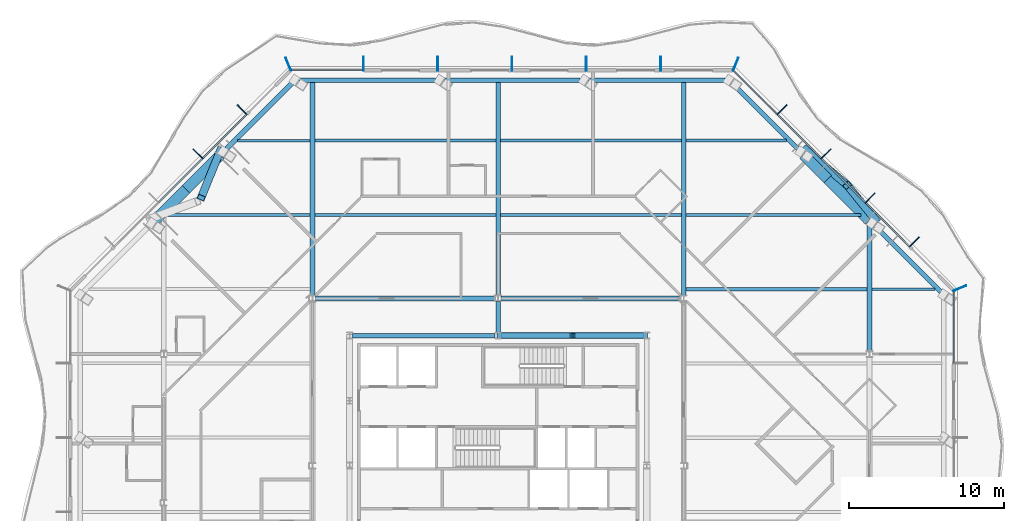
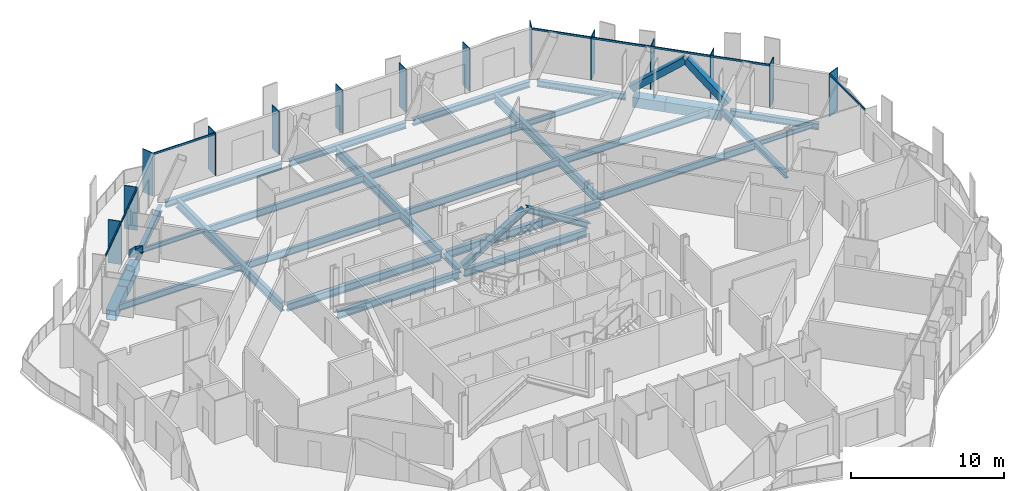
# One storey, part 5 of 21: 29 beams, 27 members, 4 elements without a shape of their own.
"""IFC4 building model written with IfcOpenShell, lengths in metres."""

from ifc_helpers import new_model, si_unit, direction, frame, origin, origin_2d, place, context, subcontext, project, spatial, rectangle, hollow_rectangle, i_section, extrude, material, material_profile, profile_set, type_object, element, aggregate, save


model = new_model("IFC4")

# Units and contexts
model_context = context("Model", 3, precision=1e-05, world=origin(), true_north=direction((0.0, 1.0)))
body_context = subcontext(model_context, "Body", "Model", "MODEL_VIEW")
ifc_project = project(units=[si_unit("LENGTHUNIT", "METRE"), si_unit("AREAUNIT", "SQUARE_METRE"), si_unit("VOLUMEUNIT", "CUBIC_METRE"), si_unit("PLANEANGLEUNIT", "RADIAN"), si_unit("MASSUNIT", "GRAM", prefix="KILO")], contexts=[model_context])

# Site, building, storey
site_placement = place(None, origin())
site = spatial("IfcSite", under=ifc_project, at=site_placement, CompositionType="ELEMENT")
building_placement = place(site_placement, origin())
building = spatial("IfcBuilding", under=site, at=building_placement, Name="Cairn Pilgrim Tower", CompositionType="ELEMENT")
storey_placement = place(building_placement, frame((0.0, 0.0, 179.39990234375)))
storey = spatial("IfcBuildingStorey", under=building, at=storey_placement, Name="L45", CompositionType="ELEMENT", Elevation=179.39990234375)

# Members
ifc_material_1 = material(Name="Structural steel S460M", Category="steel")
ifc_material_profile_1 = material_profile(ifc_material_1, hollow_rectangle(XDim=0.5, YDim=0.5, WallThickness=0.030029296875, at=origin_2d()), Name="BOX 500x500x30")
ifc_profile_set_1 = profile_set([ifc_material_profile_1], Name="Structural steel S460M")
member_type_1 = type_object("IfcMemberType", Name="BOX 500x500x30 BRACE", PredefinedType="BRACE", material=ifc_profile_set_1)
member_1_placement = place(storey_placement, frame((31.60498046875, 18.25634765625, 0.074951171875), z_axis=(-0.452801694636, 0.557220235795, 0.696043270318), x_axis=(-0.776072928053, -0.630643171963, 0.0)))
element("IfcMember", 1, at=member_1_placement, inside=storey, type_object=member_type_1, Name="XB-NE2-NE3-1", PredefinedType="BRACE", context=body_context, shape_type="SweptSolid", body=[
    extrude(hollow_rectangle(XDim=0.5, YDim=0.5, WallThickness=0.030029296875, at=origin_2d()), origin(), (0.0, 0.0, 1.0), 4.052001953125),
])
member_2_placement = place(storey_placement, frame((27.0166015625, 22.85595703125, 0.150146484375), z_axis=(0.605233633982, -0.513975538925, 0.607882713756), x_axis=(0.647302483602, 0.762233228561, 0.0)))
element("IfcMember", 2, at=member_2_placement, inside=storey, type_object=member_type_1, Name="XB-NE2-NE3-2", PredefinedType="BRACE", context=body_context, shape_type="SweptSolid", body=[
    extrude(hollow_rectangle(XDim=0.5, YDim=0.5, WallThickness=0.030029296875, at=origin_2d()), origin(), (0.0, 0.0, 1.0), 4.515869140625),
])
member_3_placement = place(storey_placement, frame((-10.733154296875, 22.799560546875, 0.1123046875), z_axis=(-0.295154992859, -0.723596550511, 0.623932337902), x_axis=(0.925932925702, -0.377687989087, 0.0)))
element("IfcMember", 3, at=member_3_placement, inside=storey, type_object=member_type_1, Name="XB-NW2-NW3-1", PredefinedType="BRACE", context=body_context, shape_type="SweptSolid", body=[
    extrude(hollow_rectangle(XDim=0.5, YDim=0.5, WallThickness=0.030029296875, at=origin_2d()), origin(), (0.0, 0.0, 1.0), 4.262451171875),
])

# Beams
ifc_material_2 = material(Name="Structural steel S355J2", Category="steel")
ifc_material_profile_2 = material_profile(ifc_material_2, hollow_rectangle(XDim=0.699951171875, YDim=0.800048828125, WallThickness=0.0400390625, at=origin_2d()), Name="BOX 700x800x40")
ifc_profile_set_2 = profile_set([ifc_material_profile_2], Name="Structural steel S355J2")
beam_type_1 = type_object("IfcBeamType", Name="BOX 700x800x40 RING GIRDER", PredefinedType="SPANDREL", material=ifc_profile_set_2)
beam_1_placement = place(storey_placement, frame((31.184814453125, 18.242431640625, -0.5498046875), z_axis=(-0.707106781187, 0.707106781187, 0.0), x_axis=(-0.707106781187, -0.707106781187, 0.0)))
element("IfcBeam", 4, at=beam_1_placement, inside=storey, type_object=beam_type_1, Name="RG2-NE2-NE3-1", PredefinedType="SPANDREL", context=body_context, shape_type="SweptSolid", body=[
    extrude(hollow_rectangle(XDim=0.699951171875, YDim=0.800048828125, WallThickness=0.0400390625, at=origin_2d()), origin(), (0.0, 0.0, 1.0), 3.795166015625),
])
beam_2_placement = place(storey_placement, frame((28.501220703125, 20.926025390625, -0.5498046875), z_axis=(-0.707106781187, 0.707106781187, 0.0), x_axis=(-0.707106781187, -0.707106781187, 0.0)))
element("IfcBeam", 5, at=beam_2_placement, inside=storey, type_object=beam_type_1, Name="RG2-NE2-NE3-2", PredefinedType="SPANDREL", context=body_context, shape_type="SweptSolid", body=[
    extrude(hollow_rectangle(XDim=0.699951171875, YDim=0.800048828125, WallThickness=0.0400390625, at=origin_2d()), origin(), (0.0, 0.0, 1.0), 2.20458984375),
])
beam_3_placement = place(storey_placement, frame((-10.742431640625, 22.48486328125, -0.5498046875), z_axis=(-0.707106781187, -0.707106781187, 0.0), x_axis=(0.707106781187, -0.707106781187, 0.0)))
element("IfcBeam", 6, at=beam_3_placement, inside=storey, type_object=beam_type_1, Name="RG2-NW2-NW3-1", PredefinedType="SPANDREL", context=body_context, shape_type="SweptSolid", body=[
    extrude(hollow_rectangle(XDim=0.699951171875, YDim=0.800048828125, WallThickness=0.0400390625, at=origin_2d()), origin(), (0.0, 0.0, 1.0), 3.158935546875),
])
beam_4_placement = place(storey_placement, frame((-12.97607421875, 20.251220703125, -0.5498046875), z_axis=(-0.707106781187, -0.707106781187, 0.0), x_axis=(0.707106781187, -0.707106781187, 0.0)))
element("IfcBeam", 7, at=beam_4_placement, inside=storey, type_object=beam_type_1, Name="RG2-NW2-NW3-2", PredefinedType="SPANDREL", context=body_context, shape_type="SweptSolid", body=[
    extrude(hollow_rectangle(XDim=0.699951171875, YDim=0.800048828125, WallThickness=0.0400390625, at=origin_2d()), origin(), (0.0, 0.0, 1.0), 2.8408203125),
])

# Curtain wall, members
ifc_material_3 = material(Name="Aluminium alloy 6063-T6 bronze anodised with Bronze tinted laminated low-E glass 8+16+8.8", Category="aluminium")
curtain_wall_type_1 = type_object("IfcCurtainWallType", Name="CHAMFER CORNER CURTAIN WALL", PredefinedType="NOTDEFINED", material=ifc_material_3)
curtain_wall_1_placement = place(storey_placement, origin())
curtain_wall_1 = element("IfcCurtainWall", 8, at=curtain_wall_1_placement, inside=storey, type_object=curtain_wall_type_1, Name="Chamfer Corner Curtain Wall NE", PredefinedType="NOTDEFINED")
ifc_material_4 = material(Name="Aluminium alloy 6063-T6 bronze anodised", Category="aluminium")
ifc_material_profile_3 = material_profile(ifc_material_4, rectangle(XDim=0.89990234375, YDim=0.06005859375, at=origin_2d()), Name="FIN MULLION 60x900 BRONZE")
ifc_profile_set_3 = profile_set([ifc_material_profile_3], Name="Aluminium alloy 6063-T6 bronze anodised")
member_type_2 = type_object("IfcMemberType", Name="FIN MULLION 60x900 BRONZE", PredefinedType="MULLION", material=ifc_profile_set_3)
member_4_placement = place(storey_placement, frame((37.0380859375, 13.857177734375, 0.0), z_axis=(0.0, 0.0, 1.0), x_axis=(0.923879532511, 0.382683432365, 0.0)))
member_4 = element("IfcMember", 9, at=member_4_placement, type_object=member_type_2, Name="Fin mullion NE1", PredefinedType="MULLION", context=body_context, shape_type="SweptSolid", body=[
    extrude(rectangle(XDim=0.89990234375, YDim=0.06005859375, at=origin_2d()), origin(), (0.0, 0.0, 1.0), 3.4501953125),
])
member_5_placement = place(storey_placement, frame((34.09619140625, 16.84423828125, 0.0), z_axis=(0.0, 0.0, 1.0), x_axis=(0.707106781187, 0.707106781187, 0.0)))
member_5 = element("IfcMember", 10, at=member_5_placement, type_object=member_type_2, Name="Fin mullion NE2", PredefinedType="MULLION", context=body_context, shape_type="SweptSolid", body=[
    extrude(rectangle(XDim=0.89990234375, YDim=0.06005859375, at=origin_2d()), origin(), (0.0, 0.0, 1.0), 3.4501953125),
])
member_6_placement = place(storey_placement, frame((31.24560546875, 19.69482421875, 0.0), z_axis=(0.0, 0.0, 1.0), x_axis=(0.707106781187, 0.707106781187, 0.0)))
member_6 = element("IfcMember", 11, at=member_6_placement, type_object=member_type_2, Name="Fin mullion NE3", PredefinedType="MULLION", context=body_context, shape_type="SweptSolid", body=[
    extrude(rectangle(XDim=0.89990234375, YDim=0.06005859375, at=origin_2d()), origin(), (0.0, 0.0, 1.0), 3.4501953125),
])
member_7_placement = place(storey_placement, frame((28.394775390625, 22.545654296875, 0.0), z_axis=(0.0, 0.0, 1.0), x_axis=(0.707106781187, 0.707106781187, 0.0)))
member_7 = element("IfcMember", 12, at=member_7_placement, type_object=member_type_2, Name="Fin mullion NE4", PredefinedType="MULLION", context=body_context, shape_type="SweptSolid", body=[
    extrude(rectangle(XDim=0.89990234375, YDim=0.06005859375, at=origin_2d()), origin(), (0.0, 0.0, 1.0), 3.4501953125),
])
member_8_placement = place(storey_placement, frame((25.544189453125, 25.396240234375, 0.0), z_axis=(0.0, 0.0, 1.0), x_axis=(0.707106781187, 0.707106781187, 0.0)))
member_8 = element("IfcMember", 13, at=member_8_placement, type_object=member_type_2, Name="Fin mullion NE5", PredefinedType="MULLION", context=body_context, shape_type="SweptSolid", body=[
    extrude(rectangle(XDim=0.89990234375, YDim=0.06005859375, at=origin_2d()), origin(), (0.0, 0.0, 1.0), 3.4501953125),
])

curtain_wall_type_2 = type_object("IfcCurtainWallType", Name="TOWER STICK CURTAIN WALL NS", PredefinedType="NOTDEFINED", material=ifc_material_3)
curtain_wall_2_placement = place(storey_placement, origin())
curtain_wall_2 = element("IfcCurtainWall", 14, at=curtain_wall_2_placement, inside=storey, type_object=curtain_wall_type_2, Name="Tower Stick Curtain Wall Ns N", PredefinedType="NOTDEFINED")
member_9_placement = place(storey_placement, frame((22.55712890625, 28.338134765625, 0.0), z_axis=(0.0, 0.0, 1.0), x_axis=(0.382683432365, 0.923879532511, 0.0)))
member_9 = element("IfcMember", 15, at=member_9_placement, type_object=member_type_2, Name="Fin mullion N1", PredefinedType="MULLION", context=body_context, shape_type="SweptSolid", body=[
    extrude(rectangle(XDim=0.89990234375, YDim=0.06005859375, at=origin_2d()), origin(), (0.0, 0.0, 1.0), 3.4501953125),
])
member_10_placement = place(storey_placement, frame((17.699951171875, 28.3701171875, 0.0), z_axis=(0.0, 0.0, 1.0), x_axis=(0.0, 1.0, 0.0)))
member_10 = element("IfcMember", 16, at=member_10_placement, type_object=member_type_2, Name="Fin mullion N2", PredefinedType="MULLION", context=body_context, shape_type="SweptSolid", body=[
    extrude(rectangle(XDim=0.89990234375, YDim=0.06005859375, at=origin_2d()), origin(), (0.0, 0.0, 1.0), 3.4501953125),
])
member_11_placement = place(storey_placement, frame((12.89990234375, 28.3701171875, 0.0), z_axis=(0.0, 0.0, 1.0), x_axis=(0.0, 1.0, 0.0)))
member_11 = element("IfcMember", 17, at=member_11_placement, type_object=member_type_2, Name="Fin mullion N3", PredefinedType="MULLION", context=body_context, shape_type="SweptSolid", body=[
    extrude(rectangle(XDim=0.89990234375, YDim=0.06005859375, at=origin_2d()), origin(), (0.0, 0.0, 1.0), 3.4501953125),
])
member_12_placement = place(storey_placement, frame((8.10009765625, 28.3701171875, 0.0), z_axis=(0.0, 0.0, 1.0), x_axis=(0.0, 1.0, 0.0)))
member_12 = element("IfcMember", 18, at=member_12_placement, type_object=member_type_2, Name="Fin mullion N4", PredefinedType="MULLION", context=body_context, shape_type="SweptSolid", body=[
    extrude(rectangle(XDim=0.89990234375, YDim=0.06005859375, at=origin_2d()), origin(), (0.0, 0.0, 1.0), 3.4501953125),
])
member_13_placement = place(storey_placement, frame((3.300048828125, 28.3701171875, 0.0), z_axis=(0.0, 0.0, 1.0), x_axis=(0.0, 1.0, 0.0)))
member_13 = element("IfcMember", 19, at=member_13_placement, type_object=member_type_2, Name="Fin mullion N5", PredefinedType="MULLION", context=body_context, shape_type="SweptSolid", body=[
    extrude(rectangle(XDim=0.89990234375, YDim=0.06005859375, at=origin_2d()), origin(), (0.0, 0.0, 1.0), 3.4501953125),
])
member_14_placement = place(storey_placement, frame((-1.5, 28.3701171875, 0.0), z_axis=(0.0, 0.0, 1.0), x_axis=(0.0, 1.0, 0.0)))
member_14 = element("IfcMember", 20, at=member_14_placement, type_object=member_type_2, Name="Fin mullion N6", PredefinedType="MULLION", context=body_context, shape_type="SweptSolid", body=[
    extrude(rectangle(XDim=0.89990234375, YDim=0.06005859375, at=origin_2d()), origin(), (0.0, 0.0, 1.0), 3.4501953125),
])

curtain_wall_3_placement = place(storey_placement, origin())
curtain_wall_3 = element("IfcCurtainWall", 21, at=curtain_wall_3_placement, inside=storey, type_object=curtain_wall_type_1, Name="Chamfer Corner Curtain Wall NW", PredefinedType="NOTDEFINED")
member_15_placement = place(storey_placement, frame((-6.357177734375, 28.338134765625, 0.0), z_axis=(0.0, 0.0, 1.0), x_axis=(-0.382683432365, 0.923879532511, 0.0)))
member_15 = element("IfcMember", 22, at=member_15_placement, type_object=member_type_2, Name="Fin mullion NW1", PredefinedType="MULLION", context=body_context, shape_type="SweptSolid", body=[
    extrude(rectangle(XDim=0.89990234375, YDim=0.06005859375, at=origin_2d()), origin(), (0.0, 0.0, 1.0), 3.4501953125),
])
member_16_placement = place(storey_placement, frame((-9.34423828125, 25.396240234375, 0.0), z_axis=(0.0, 0.0, 1.0), x_axis=(-0.707106781187, 0.707106781187, 0.0)))
member_16 = element("IfcMember", 23, at=member_16_placement, type_object=member_type_2, Name="Fin mullion NW2", PredefinedType="MULLION", context=body_context, shape_type="SweptSolid", body=[
    extrude(rectangle(XDim=0.89990234375, YDim=0.06005859375, at=origin_2d()), origin(), (0.0, 0.0, 1.0), 3.4501953125),
])
member_17_placement = place(storey_placement, frame((-12.19482421875, 22.545654296875, 0.0), z_axis=(0.0, 0.0, 1.0), x_axis=(-0.707106781187, 0.707106781187, 0.0)))
member_17 = element("IfcMember", 24, at=member_17_placement, type_object=member_type_2, Name="Fin mullion NW3", PredefinedType="MULLION", context=body_context, shape_type="SweptSolid", body=[
    extrude(rectangle(XDim=0.89990234375, YDim=0.06005859375, at=origin_2d()), origin(), (0.0, 0.0, 1.0), 3.4501953125),
])

# Members
ifc_material_profile_4 = material_profile(ifc_material_1, i_section(OverallWidth=0.408935546875, OverallDepth=0.425048828125, WebThickness=0.03271484375, FlangeThickness=0.052490234375, FilletRadius=0.014892578125, at=origin_2d()), Name="HD 400x421")
ifc_profile_set_4 = profile_set([ifc_material_profile_4], Name="Structural steel S460M")
member_type_3 = type_object("IfcMemberType", Name="HD 400x421 BRACE", PredefinedType="BRACE", material=ifc_profile_set_4)
for number, where, z_axis, x_axis, name in (
    (25, (16.75830078125, 10.800048828125, 0.10009765625), (-0.851119565216, 0.0, 0.524971890397), (0.0, -1.0, 0.0), "KB-3A"),
    (26, (7.24169921875, 10.800048828125, 0.10009765625), (0.851119565216, 0.0, 0.524971890397), (0.0, 1.0, 0.0), "KB-3B"),
):
    element("IfcMember", number, at=place(storey_placement, frame(where, z_axis=z_axis, x_axis=x_axis)), inside=storey, type_object=member_type_3, Name=name, PredefinedType="BRACE", context=body_context, shape_type="SweptSolid", body=[
        extrude(i_section(OverallWidth=0.408935546875, OverallDepth=0.425048828125, WebThickness=0.03271484375, FlangeThickness=0.052490234375, FilletRadius=0.014892578125, at=origin_2d()), origin(), (0.0, 0.0, 1.0), 5.528076171875),
    ])

# Beams
ifc_material_profile_5 = material_profile(ifc_material_2, i_section(OverallWidth=0.300048828125, OverallDepth=0.39990234375, WebThickness=0.013427734375, FlangeThickness=0.02392578125, FilletRadius=0.027099609375, at=origin_2d()), Name="HEB 400")
ifc_profile_set_5 = profile_set([ifc_material_profile_5], Name="Structural steel S355J2")
beam_type_2 = type_object("IfcBeamType", Name="HEB 400 GIRDER", PredefinedType="BEAM", material=ifc_profile_set_5)
beam_5_placement = place(storey_placement, frame((7.199951171875, 11.008056640625, -0.349853515625), z_axis=(0.0, 1.0, 0.0), x_axis=(-1.0, 0.0, 0.0)))
element("IfcBeam", 27, at=beam_5_placement, inside=storey, type_object=beam_type_2, Name="PG3-E2", PredefinedType="BEAM", context=body_context, shape_type="SweptSolid", body=[
    extrude(i_section(OverallWidth=0.300048828125, OverallDepth=0.39990234375, WebThickness=0.013427734375, FlangeThickness=0.02392578125, FilletRadius=0.027099609375, at=origin_2d()), origin(), (0.0, 0.0, 1.0), 1.992431640625),
])
ifc_material_profile_6 = material_profile(ifc_material_2, i_section(OverallWidth=0.300048828125, OverallDepth=0.5, WebThickness=0.014404296875, FlangeThickness=0.028076171875, FilletRadius=0.027099609375, at=origin_2d()), Name="HEB 500")
ifc_profile_set_6 = profile_set([ifc_material_profile_6], Name="Structural steel S355J2")
beam_type_3 = type_object("IfcBeamType", Name="HEB 500 GIRDER", PredefinedType="BEAM", material=ifc_profile_set_6)
beam_6_placement = place(storey_placement, frame((31.199951171875, 9.804443359375, -0.39990234375), z_axis=(0.0, 1.0, 0.0), x_axis=(-1.0, 0.0, 0.0)))
element("IfcBeam", 28, at=beam_6_placement, inside=storey, type_object=beam_type_3, Name="PG5-3", PredefinedType="BEAM", context=body_context, shape_type="SweptSolid", body=[
    extrude(i_section(OverallWidth=0.300048828125, OverallDepth=0.5, WebThickness=0.014404296875, FlangeThickness=0.028076171875, FilletRadius=0.027099609375, at=origin_2d()), origin(), (0.0, 0.0, 1.0), 8.24072265625),
])
ifc_material_profile_7 = material_profile(ifc_material_2, i_section(OverallWidth=0.300048828125, OverallDepth=0.5, WebThickness=0.014404296875, FlangeThickness=0.028076171875, FilletRadius=0.027099609375, at=origin_2d()), Name="HEB 500")
ifc_profile_set_7 = profile_set([ifc_material_profile_7], Name="Structural steel S355J2")
beam_type_4 = type_object("IfcBeamType", Name="HEB 500 RING GIRDER", PredefinedType="SPANDREL", material=ifc_profile_set_7)
for number, where, z_axis, x_axis, name in (
    (29, (35.80908203125, 13.6181640625, -0.39990234375), (-0.707106781187, 0.707106781187, 0.0), (-0.707106781187, -0.707106781187, 0.0), "RG2-NE1-NE2"),
    (30, (26.560546875, 22.86669921875, -0.39990234375), (-0.707106781187, 0.707106781187, 0.0), (-0.707106781187, -0.707106781187, 0.0), "RG2-NE3-N1"),
):
    element("IfcBeam", number, at=place(storey_placement, frame(where, z_axis=z_axis, x_axis=x_axis)), inside=storey, type_object=beam_type_4, Name=name, PredefinedType="SPANDREL", context=body_context, shape_type="SweptSolid", body=[
        extrude(i_section(OverallWidth=0.300048828125, OverallDepth=0.5, WebThickness=0.014404296875, FlangeThickness=0.028076171875, FilletRadius=0.027099609375, at=origin_2d()), origin(), (0.0, 0.0, 1.0), 5.999755859375),
    ])
beam_7_placement = place(storey_placement, frame((21.857177734375, 27.300048828125, -0.39990234375), z_axis=(-1.0, 0.0, 0.0), x_axis=(0.0, -1.0, 0.0)))
element("IfcBeam", 31, at=beam_7_placement, inside=storey, type_object=beam_type_4, Name="RG2-N1-N2", PredefinedType="SPANDREL", context=body_context, shape_type="SweptSolid", body=[
    extrude(i_section(OverallWidth=0.300048828125, OverallDepth=0.5, WebThickness=0.014404296875, FlangeThickness=0.028076171875, FilletRadius=0.027099609375, at=origin_2d()), origin(), (0.0, 0.0, 1.0), 8.8115234375),
])
beam_8_placement = place(storey_placement, frame((12.505615234375, 27.300048828125, -0.39990234375), z_axis=(-1.0, 0.0, 0.0), x_axis=(0.0, -1.0, 0.0)))
element("IfcBeam", 32, at=beam_8_placement, inside=storey, type_object=beam_type_4, Name="RG2-N2-N3", PredefinedType="SPANDREL", context=body_context, shape_type="SweptSolid", body=[
    extrude(i_section(OverallWidth=0.300048828125, OverallDepth=0.5, WebThickness=0.014404296875, FlangeThickness=0.028076171875, FilletRadius=0.027099609375, at=origin_2d()), origin(), (0.0, 0.0, 1.0), 8.811279296875),
])
beam_9_placement = place(storey_placement, frame((3.154296875, 27.300048828125, -0.39990234375), z_axis=(-1.0, 0.0, 0.0), x_axis=(0.0, -1.0, 0.0)))
element("IfcBeam", 33, at=beam_9_placement, inside=storey, type_object=beam_type_4, Name="RG2-N3-NW1", PredefinedType="SPANDREL", context=body_context, shape_type="SweptSolid", body=[
    extrude(i_section(OverallWidth=0.300048828125, OverallDepth=0.5, WebThickness=0.014404296875, FlangeThickness=0.028076171875, FilletRadius=0.027099609375, at=origin_2d()), origin(), (0.0, 0.0, 1.0), 8.8115234375),
])
beam_10_placement = place(storey_placement, frame((-6.1181640625, 27.109130859375, -0.39990234375), z_axis=(-0.707106781187, -0.707106781187, 0.0), x_axis=(0.707106781187, -0.707106781187, 0.0)))
element("IfcBeam", 34, at=beam_10_placement, inside=storey, type_object=beam_type_4, Name="RG2-NW1-NW2", PredefinedType="SPANDREL", context=body_context, shape_type="SweptSolid", body=[
    extrude(i_section(OverallWidth=0.300048828125, OverallDepth=0.5, WebThickness=0.014404296875, FlangeThickness=0.028076171875, FilletRadius=0.027099609375, at=origin_2d()), origin(), (0.0, 0.0, 1.0), 5.999755859375),
])
ifc_material_profile_8 = material_profile(ifc_material_2, i_section(OverallWidth=0.300048828125, OverallDepth=0.60009765625, WebThickness=0.015380859375, FlangeThickness=0.030029296875, FilletRadius=0.027099609375, at=origin_2d()), Name="HEB 600")
ifc_profile_set_8 = profile_set([ifc_material_profile_8], Name="Structural steel S355J2")
beam_type_5 = type_object("IfcBeamType", Name="HEB 600 CORE BEAM", PredefinedType="BEAM", material=ifc_profile_set_8)
for number, where, z_axis, x_axis, name in (
    (35, (16.61279296875, 10.800048828125, -0.449951171875), (-1.0, 0.0, 0.0), (0.0, -1.0, 0.0), "CB-5"),
    (36, (7.0126953125, 10.800048828125, -0.449951171875), (-1.0, 0.0, 0.0), (0.0, -1.0, 0.0), "CB-6"),
):
    element("IfcBeam", number, at=place(storey_placement, frame(where, z_axis=z_axis, x_axis=x_axis)), inside=storey, type_object=beam_type_5, Name=name, PredefinedType="BEAM", context=body_context, shape_type="SweptSolid", body=[
        extrude(i_section(OverallWidth=0.300048828125, OverallDepth=0.60009765625, WebThickness=0.015380859375, FlangeThickness=0.030029296875, FilletRadius=0.027099609375, at=origin_2d()), origin(), (0.0, 0.0, 1.0), 9.2255859375),
    ])
ifc_material_profile_9 = material_profile(ifc_material_2, i_section(OverallWidth=0.300048828125, OverallDepth=0.60009765625, WebThickness=0.015380859375, FlangeThickness=0.030029296875, FilletRadius=0.027099609375, at=origin_2d()), Name="HEB 600")
ifc_profile_set_9 = profile_set([ifc_material_profile_9], Name="Structural steel S355J2")
beam_type_6 = type_object("IfcBeamType", Name="HEB 600 INNER GIRDER", PredefinedType="BEAM", material=ifc_profile_set_9)
for number, where, z_axis, x_axis, name in (
    (37, (-4.6005859375, 13.199951171875, -0.449951171875), (1.0, 0.0, 0.0), (0.0, 1.0, 0.0), "IG2-1"),
    (38, (7.3994140625, 13.199951171875, -0.449951171875), (1.0, 0.0, 0.0), (0.0, 1.0, 0.0), "IG2-2"),
):
    element("IfcBeam", number, at=place(storey_placement, frame(where, z_axis=z_axis, x_axis=x_axis)), inside=storey, type_object=beam_type_6, Name=name, PredefinedType="BEAM", context=body_context, shape_type="SweptSolid", body=[
        extrude(i_section(OverallWidth=0.300048828125, OverallDepth=0.60009765625, WebThickness=0.015380859375, FlangeThickness=0.030029296875, FilletRadius=0.027099609375, at=origin_2d()), origin(), (0.0, 0.0, 1.0), 11.60107421875),
    ])
ifc_material_profile_10 = material_profile(ifc_material_2, i_section(OverallWidth=0.300048828125, OverallDepth=0.699951171875, WebThickness=0.01708984375, FlangeThickness=0.031982421875, FilletRadius=0.027099609375, at=origin_2d()), Name="HEB 700")
ifc_profile_set_10 = profile_set([ifc_material_profile_10], Name="Structural steel S355J2")
beam_type_7 = type_object("IfcBeamType", Name="HEB 700 GIRDER", PredefinedType="BEAM", material=ifc_profile_set_10)
for number, where, z_axis, x_axis, name in (
    (39, (-4.800048828125, 13.3994140625, -0.5), (0.0, 1.0, 0.0), (-1.0, 0.0, 0.0), "PG2-4"),
    (40, (7.199951171875, 13.3994140625, -0.5), (0.0, 1.0, 0.0), (-1.0, 0.0, 0.0), "PG3-2"),
    (41, (19.199951171875, 13.3994140625, -0.5), (0.0, 1.0, 0.0), (-1.0, 0.0, 0.0), "PG4-4"),
):
    element("IfcBeam", number, at=place(storey_placement, frame(where, z_axis=z_axis, x_axis=x_axis)), inside=storey, type_object=beam_type_7, Name=name, PredefinedType="BEAM", context=body_context, shape_type="SweptSolid", body=[
        extrude(i_section(OverallWidth=0.300048828125, OverallDepth=0.699951171875, WebThickness=0.01708984375, FlangeThickness=0.031982421875, FilletRadius=0.027099609375, at=origin_2d()), origin(), (0.0, 0.0, 1.0), 13.780517578125),
    ])
ifc_material_profile_11 = material_profile(ifc_material_2, i_section(OverallWidth=0.169921875, OverallDepth=0.360107421875, WebThickness=0.008056640625, FlangeThickness=0.0126953125, FilletRadius=0.01806640625, at=origin_2d()), Name="IPE 360")
ifc_profile_set_11 = profile_set([ifc_material_profile_11], Name="Structural steel S355J2")
beam_type_8 = type_object("IfcBeamType", Name="IPE 360 SECONDARY BEAM", PredefinedType="JOIST", material=ifc_profile_set_11)
beam_11_placement = place(storey_placement, frame((31.35009765625, 13.800048828125, -0.329833984375), z_axis=(1.0, 0.0, 0.0), x_axis=(0.0, 1.0, 0.0)))
element("IfcBeam", 42, at=beam_11_placement, inside=storey, type_object=beam_type_8, Name="SB7-4", PredefinedType="JOIST", context=body_context, shape_type="SweptSolid", body=[
    extrude(i_section(OverallWidth=0.169921875, OverallDepth=0.360107421875, WebThickness=0.008056640625, FlangeThickness=0.0126953125, FilletRadius=0.01806640625, at=origin_2d()), origin(), (0.0, 0.0, 1.0), 4.094970703125),
])
beam_12_placement = place(storey_placement, frame((-9.64501953125, 23.39990234375, -0.329833984375), z_axis=(1.0, 0.0, 0.0), x_axis=(0.0, 1.0, 0.0)))
element("IfcBeam", 43, at=beam_12_placement, inside=storey, type_object=beam_type_8, Name="SB9-1", PredefinedType="JOIST", context=body_context, shape_type="SweptSolid", body=[
    extrude(i_section(OverallWidth=0.169921875, OverallDepth=0.360107421875, WebThickness=0.008056640625, FlangeThickness=0.0126953125, FilletRadius=0.01806640625, at=origin_2d()), origin(), (0.0, 0.0, 1.0), 4.695068359375),
])
ifc_material_profile_12 = material_profile(ifc_material_2, i_section(OverallWidth=0.18994140625, OverallDepth=0.449951171875, WebThickness=0.009521484375, FlangeThickness=0.0146484375, FilletRadius=0.02099609375, at=origin_2d()), Name="IPE 450")
ifc_profile_set_12 = profile_set([ifc_material_profile_12], Name="Structural steel S355J2")
beam_type_9 = type_object("IfcBeamType", Name="IPE 450 SECONDARY BEAM", PredefinedType="JOIST", material=ifc_profile_set_12)
beam_13_placement = place(storey_placement, frame((19.35009765625, 23.39990234375, -0.375), z_axis=(1.0, 0.0, 0.0), x_axis=(0.0, 1.0, 0.0)))
element("IfcBeam", 44, at=beam_13_placement, inside=storey, type_object=beam_type_9, Name="SB9-4", PredefinedType="JOIST", context=body_context, shape_type="SweptSolid", body=[
    extrude(i_section(OverallWidth=0.18994140625, OverallDepth=0.449951171875, WebThickness=0.009521484375, FlangeThickness=0.0146484375, FilletRadius=0.02099609375, at=origin_2d()), origin(), (0.0, 0.0, 1.0), 6.4951171875),
])
ifc_material_profile_13 = material_profile(ifc_material_2, i_section(OverallWidth=0.199951171875, OverallDepth=0.5, WebThickness=0.01025390625, FlangeThickness=0.01611328125, FilletRadius=0.02099609375, at=origin_2d()), Name="IPE 500")
ifc_profile_set_13 = profile_set([ifc_material_profile_13], Name="Structural steel S355J2")
beam_type_10 = type_object("IfcBeamType", Name="IPE 500 SECONDARY BEAM", PredefinedType="JOIST", material=ifc_profile_set_13)
beam_14_placement = place(storey_placement, frame((-14.445068359375, 18.60009765625, -0.39990234375), z_axis=(1.0, 0.0, 0.0), x_axis=(0.0, 1.0, 0.0)))
element("IfcBeam", 45, at=beam_14_placement, inside=storey, type_object=beam_type_10, Name="SB8-1", PredefinedType="JOIST", context=body_context, shape_type="SweptSolid", body=[
    extrude(i_section(OverallWidth=0.199951171875, OverallDepth=0.5, WebThickness=0.01025390625, FlangeThickness=0.01611328125, FilletRadius=0.02099609375, at=origin_2d()), origin(), (0.0, 0.0, 1.0), 9.4951171875),
])
ifc_material_profile_14 = material_profile(ifc_material_2, i_section(OverallWidth=0.2099609375, OverallDepth=0.550048828125, WebThickness=0.010986328125, FlangeThickness=0.01708984375, FilletRadius=0.02392578125, at=origin_2d()), Name="IPE 550")
ifc_profile_set_14 = profile_set([ifc_material_profile_14], Name="Structural steel S355J2")
beam_type_11 = type_object("IfcBeamType", Name="IPE 550 SECONDARY BEAM", PredefinedType="JOIST", material=ifc_profile_set_14)
for number, where, z_axis, x_axis, name in (
    (46, (19.35009765625, 13.800048828125, -0.4248046875), (1.0, 0.0, 0.0), (0.0, 1.0, 0.0), "SB7-3"),
    (47, (-4.64990234375, 18.60009765625, -0.4248046875), (1.0, 0.0, 0.0), (0.0, 1.0, 0.0), "SB8-2"),
    (48, (7.35009765625, 18.60009765625, -0.4248046875), (1.0, 0.0, 0.0), (0.0, 1.0, 0.0), "SB8-3"),
):
    element("IfcBeam", number, at=place(storey_placement, frame(where, z_axis=z_axis, x_axis=x_axis)), inside=storey, type_object=beam_type_11, Name=name, PredefinedType="JOIST", context=body_context, shape_type="SweptSolid", body=[
        extrude(i_section(OverallWidth=0.2099609375, OverallDepth=0.550048828125, WebThickness=0.010986328125, FlangeThickness=0.01708984375, FilletRadius=0.02392578125, at=origin_2d()), origin(), (0.0, 0.0, 1.0), 11.699951171875),
    ])
beam_15_placement = place(storey_placement, frame((19.35009765625, 18.60009765625, -0.4248046875), z_axis=(1.0, 0.0, 0.0), x_axis=(0.0, 1.0, 0.0)))
element("IfcBeam", 49, at=beam_15_placement, inside=storey, type_object=beam_type_11, Name="SB8-4", PredefinedType="JOIST", context=body_context, shape_type="SweptSolid", body=[
    extrude(i_section(OverallWidth=0.2099609375, OverallDepth=0.550048828125, WebThickness=0.010986328125, FlangeThickness=0.01708984375, FilletRadius=0.02392578125, at=origin_2d()), origin(), (0.0, 0.0, 1.0), 11.294921875),
])
for number, where, z_axis, x_axis, name in (
    (50, (-4.64990234375, 23.39990234375, -0.4248046875), (1.0, 0.0, 0.0), (0.0, 1.0, 0.0), "SB9-2"),
    (51, (7.35009765625, 23.39990234375, -0.4248046875), (1.0, 0.0, 0.0), (0.0, 1.0, 0.0), "SB9-3"),
):
    element("IfcBeam", number, at=place(storey_placement, frame(where, z_axis=z_axis, x_axis=x_axis)), inside=storey, type_object=beam_type_11, Name=name, PredefinedType="JOIST", context=body_context, shape_type="SweptSolid", body=[
        extrude(i_section(OverallWidth=0.2099609375, OverallDepth=0.550048828125, WebThickness=0.010986328125, FlangeThickness=0.01708984375, FilletRadius=0.02392578125, at=origin_2d()), origin(), (0.0, 0.0, 1.0), 11.699951171875),
    ])

# Curtain wall, member
curtain_wall_type_3 = type_object("IfcCurtainWallType", Name="TOWER STICK CURTAIN WALL EW", PredefinedType="NOTDEFINED", material=ifc_material_3)
curtain_wall_4_placement = place(storey_placement, origin())
curtain_wall_4 = element("IfcCurtainWall", 52, at=curtain_wall_4_placement, inside=storey, type_object=curtain_wall_type_3, Name="Tower Stick Curtain Wall Ew E", PredefinedType="NOTDEFINED")
ifc_material_profile_15 = material_profile(ifc_material_4, rectangle(XDim=0.080078125, YDim=0.14990234375, at=origin_2d()), Name="TRANSOM 80x150 BRONZE")
ifc_profile_set_15 = profile_set([ifc_material_profile_15], Name="Aluminium alloy 6063-T6 bronze anodised")
member_type_4 = type_object("IfcMemberType", Name="TRANSOM 80x150 BRONZE", PredefinedType="USERDEFINED", material=ifc_profile_set_15)
member_18_placement = place(storey_placement, frame((36.64990234375, 9.030029296875, 3.375), z_axis=(0.0, 1.0, 0.0), x_axis=(-1.0, 0.0, 0.0)))
member_18 = element("IfcMember", 53, at=member_18_placement, type_object=member_type_4, Name="Transom E4", ObjectType="TRANSOM", PredefinedType="USERDEFINED", context=body_context, shape_type="SweptSolid", body=[
    extrude(rectangle(XDim=0.080078125, YDim=0.14990234375, at=origin_2d()), origin(), (0.0, 0.0, 1.0), 4.62646484375),
])
aggregate(curtain_wall_4, [member_18])

# Member
member_19_placement = place(storey_placement, frame((33.778076171875, 16.568359375, 3.375), z_axis=(-0.707106781187, 0.707106781187, 0.0), x_axis=(-0.707106781187, -0.707106781187, 0.0)))
member_19 = element("IfcMember", 54, at=member_19_placement, type_object=member_type_4, Name="Transom NE2", ObjectType="TRANSOM", PredefinedType="USERDEFINED", context=body_context, shape_type="SweptSolid", body=[
    extrude(rectangle(XDim=0.080078125, YDim=0.14990234375, at=origin_2d()), origin(), (0.0, 0.0, 1.0), 3.9716796875),
])

member_20_placement = place(storey_placement, frame((30.92724609375, 19.419189453125, 3.375), z_axis=(-0.707106781187, 0.707106781187, 0.0), x_axis=(-0.707106781187, -0.707106781187, 0.0)))
member_20 = element("IfcMember", 55, at=member_20_placement, type_object=member_type_4, Name="Transom NE3", ObjectType="TRANSOM", PredefinedType="USERDEFINED", context=body_context, shape_type="SweptSolid", body=[
    extrude(rectangle(XDim=0.080078125, YDim=0.14990234375, at=origin_2d()), origin(), (0.0, 0.0, 1.0), 3.97119140625),
])

member_21_placement = place(storey_placement, frame((28.07666015625, 22.269775390625, 3.375), z_axis=(-0.707106781187, 0.707106781187, 0.0), x_axis=(-0.707106781187, -0.707106781187, 0.0)))
member_21 = element("IfcMember", 56, at=member_21_placement, type_object=member_type_4, Name="Transom NE4", ObjectType="TRANSOM", PredefinedType="USERDEFINED", context=body_context, shape_type="SweptSolid", body=[
    extrude(rectangle(XDim=0.080078125, YDim=0.14990234375, at=origin_2d()), origin(), (0.0, 0.0, 1.0), 3.9716796875),
])

member_22_placement = place(storey_placement, frame((25.225830078125, 25.12060546875, 3.375), z_axis=(-0.707106781187, 0.707106781187, 0.0), x_axis=(-0.707106781187, -0.707106781187, 0.0)))
member_22 = element("IfcMember", 57, at=member_22_placement, type_object=member_type_4, Name="Transom NE5", ObjectType="TRANSOM", PredefinedType="USERDEFINED", context=body_context, shape_type="SweptSolid", body=[
    extrude(rectangle(XDim=0.080078125, YDim=0.14990234375, at=origin_2d()), origin(), (0.0, 0.0, 1.0), 3.961181640625),
])

aggregate(curtain_wall_1, [member_4, member_5, member_6, member_7, member_8, member_19, member_20, member_21, member_22])

member_23_placement = place(storey_placement, frame((-1.530029296875, 27.949951171875, 3.375), z_axis=(-1.0, 0.0, 0.0), x_axis=(0.0, -1.0, 0.0)))
member_23 = element("IfcMember", 58, at=member_23_placement, type_object=member_type_4, Name="Transom N6", ObjectType="TRANSOM", PredefinedType="USERDEFINED", context=body_context, shape_type="SweptSolid", body=[
    extrude(rectangle(XDim=0.080078125, YDim=0.14990234375, at=origin_2d()), origin(), (0.0, 0.0, 1.0), 4.62646484375),
])

aggregate(curtain_wall_2, [member_9, member_10, member_11, member_12, member_13, member_14, member_23])

member_24_placement = place(storey_placement, frame((-9.068359375, 25.078125, 3.375), z_axis=(-0.707106781187, -0.707106781187, 0.0), x_axis=(0.707106781187, -0.707106781187, 0.0)))
member_24 = element("IfcMember", 59, at=member_24_placement, type_object=member_type_4, Name="Transom NW2", ObjectType="TRANSOM", PredefinedType="USERDEFINED", context=body_context, shape_type="SweptSolid", body=[
    extrude(rectangle(XDim=0.080078125, YDim=0.14990234375, at=origin_2d()), origin(), (0.0, 0.0, 1.0), 3.9716796875),
])

member_25_placement = place(storey_placement, frame((-11.919189453125, 22.227294921875, 3.375), z_axis=(-0.707106781187, -0.707106781187, 0.0), x_axis=(0.707106781187, -0.707106781187, 0.0)))
member_25 = element("IfcMember", 60, at=member_25_placement, type_object=member_type_4, Name="Transom NW3", ObjectType="TRANSOM", PredefinedType="USERDEFINED", context=body_context, shape_type="SweptSolid", body=[
    extrude(rectangle(XDim=0.080078125, YDim=0.14990234375, at=origin_2d()), origin(), (0.0, 0.0, 1.0), 3.97119140625),
])

aggregate(curtain_wall_3, [member_15, member_16, member_17, member_24, member_25])

save(model, "model.ifc")
